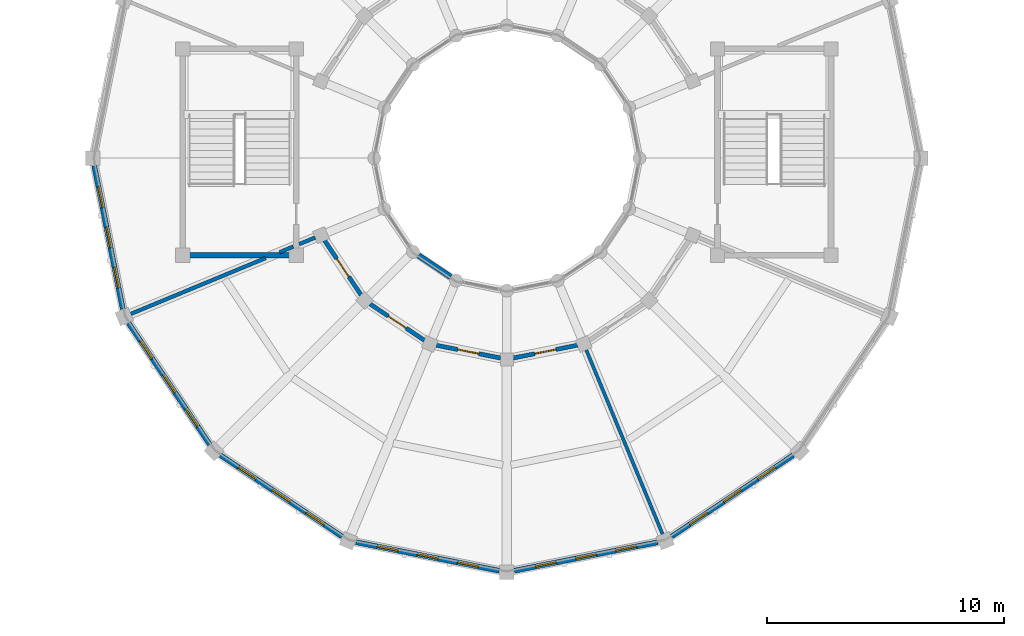
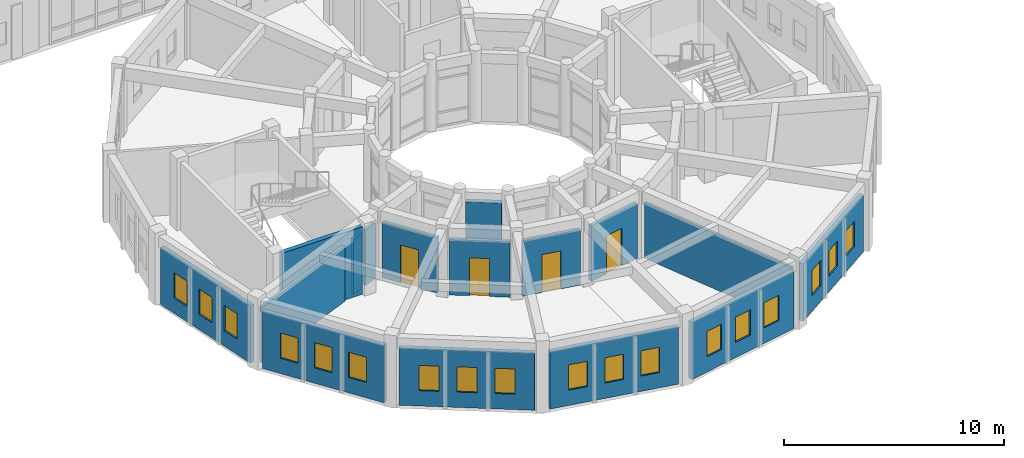
# One storey, part 116 of 159: 18 windows, 16 walls, 4 doors, 22 openings.
"""IFC4 building model written with IfcOpenShell, lengths in metres."""

from ifc_helpers import new_model, si_unit, direction, frame, frame_2d, origin, place, context, subcontext, project, spatial, rectangle, extrude, material, layer, layer_set, type_object, element, fill, save


model = new_model("IFC4")

# Units and contexts
model_context = context("Model", 3, precision=1e-05, world=origin(), true_north=direction((0.0, 1.0)))
body_context = subcontext(model_context, "Body", "Model", "MODEL_VIEW")
ifc_project = project(units=[si_unit("LENGTHUNIT", "METRE"), si_unit("AREAUNIT", "SQUARE_METRE"), si_unit("VOLUMEUNIT", "CUBIC_METRE"), si_unit("PLANEANGLEUNIT", "RADIAN"), si_unit("MASSUNIT", "GRAM", prefix="KILO")], contexts=[model_context])

# Site, building, storey
site_placement = place(None, origin())
site = spatial("IfcSite", under=ifc_project, at=site_placement, CompositionType="ELEMENT")
building_placement = place(site_placement, origin())
building = spatial("IfcBuilding", under=site, at=building_placement, Name="Celadon Cloister-Ring School", CompositionType="ELEMENT")
storey_placement = place(building_placement, frame((0.0, 0.0, 4.5)))
storey = spatial("IfcBuildingStorey", under=building, at=storey_placement, Name="L01", CompositionType="ELEMENT", Elevation=4.5)

# Wall
ifc_material_1 = material(Name="Rendered concrete blockwork", Category="masonry")
ifc_layer_1 = layer(ifc_material_1, 0.239990234375)
ifc_layer_set_1 = layer_set([ifc_layer_1], Name="Rendered concrete blockwork")
wall_type_1 = type_object("IfcWallType", Name="WT-EX3", PredefinedType="SOLIDWALL", material=ifc_layer_set_1)
wall_1_placement = place(storey_placement, frame((16.469970703125, 15.885986328125, 0.0), z_axis=(0.0, 0.0, 1.0), x_axis=(0.83165874011, -0.555287078904, 0.0)))
element("IfcWall", 1, at=wall_1_placement, inside=storey, type_object=wall_type_1, Name="Exterior Wall 0324", PredefinedType="SOLIDWALL", context=body_context, shape_type="SweptSolid", body=[
    extrude(rectangle(XDim=1.631591796875, YDim=0.239990234375, at=frame_2d((0.81591796875, 0.0))), origin(), (0.0, 0.0, 1.0), 3.221923828125),
])

# Wall, openings, windows
ifc_material_2 = material(Name="Perforated terracotta clay brick masonry", Category="masonry")
ifc_layer_2 = layer(ifc_material_2, 0.219970703125)
ifc_layer_set_2 = layer_set([ifc_layer_2], Name="Perforated terracotta clay brick masonry")
wall_type_2 = type_object("IfcWallType", Name="WT-EX4", PredefinedType="SOLIDWALL", material=ifc_layer_set_2)
wall_2_placement = place(storey_placement, frame((3.968017578125, 13.6259765625, 0.0), z_axis=(0.0, 0.0, 1.0), x_axis=(-0.195164813773, 0.980770460131, 0.0)))
wall_2 = element("IfcWall", 2, at=wall_2_placement, inside=storey, type_object=wall_type_2, Name="Exterior Wall 0321", PredefinedType="SOLIDWALL", context=body_context, shape_type="SweptSolid", body=[
    extrude(rectangle(XDim=6.169677734375, YDim=0.219970703125, at=frame_2d((3.0849609375, 0.0))), origin(), (0.0, 0.0, 1.0), 3.172119140625),
])
opening_1_placement = place(wall_2_placement, frame((0.906982421875, 0.0, 0.85009765625)))
opening_1 = element("IfcOpeningElement", 3, at=opening_1_placement, cuts=wall_2, Name="Opening WN-21", PredefinedType="OPENING", context=body_context, shape_type="SweptSolid", body=[
    extrude(rectangle(XDim=0.89990234375, YDim=1.39990234375, at=frame_2d((0.449951171875, 0.699951171875))), frame((0.0, 0.1201171875, 0.0), z_axis=(0.0, -1.0, 0.0), x_axis=(1.0, 0.0, 0.0)), (0.0, 0.0, 1.0), 0.239990234375),
])
opening_2_placement = place(wall_2_placement, frame((2.635009765625, 0.0, 0.85009765625)))
opening_2 = element("IfcOpeningElement", 4, at=opening_2_placement, cuts=wall_2, Name="Opening WN-21", PredefinedType="OPENING", context=body_context, shape_type="SweptSolid", body=[
    extrude(rectangle(XDim=0.89990234375, YDim=1.39990234375, at=frame_2d((0.449951171875, 0.699951171875))), frame((0.0, 0.1201171875, 0.0), z_axis=(0.0, -1.0, 0.0), x_axis=(1.0, 0.0, 0.0)), (0.0, 0.0, 1.0), 0.239990234375),
])
opening_3_placement = place(wall_2_placement, frame((4.362060546875, 0.0, 0.85009765625)))
opening_3 = element("IfcOpeningElement", 5, at=opening_3_placement, cuts=wall_2, Name="Opening WN-21", PredefinedType="OPENING", context=body_context, shape_type="SweptSolid", body=[
    extrude(rectangle(XDim=0.89990234375, YDim=1.39990234375, at=frame_2d((0.449951171875, 0.699951171875))), frame((0.0, 0.1201171875, 0.0), z_axis=(0.0, -1.0, 0.0), x_axis=(1.0, 0.0, 0.0)), (0.0, 0.0, 1.0), 0.239990234375),
])
ifc_material_3 = material(Name="Tempered laminated insulating glass", Category="glass")
window_type = type_object("IfcWindowType", Name="WN-21", PartitioningType="SINGLE_PANEL", PredefinedType="WINDOW", material=ifc_material_3)
window_1_placement = place(opening_1_placement, origin())
window_1 = element("IfcWindow", 6, at=window_1_placement, inside=storey, type_object=window_type, Name="Window 0827", OverallHeight=1.39990234375, OverallWidth=0.89990234375, PartitioningType="SINGLE_PANEL", PredefinedType="WINDOW", context=body_context, shape_type="SweptSolid", body=[
    extrude(rectangle(XDim=0.89990234375, YDim=1.39990234375, at=frame_2d((0.449951171875, 0.699951171875))), frame((0.0, 0.030029296875, 0.0), z_axis=(0.0, -1.0, 0.0), x_axis=(1.0, 0.0, 0.0)), (0.0, 0.0, 1.0), 0.06005859375),
])
fill(opening_1, window_1)
window_2_placement = place(opening_2_placement, origin())
window_2 = element("IfcWindow", 7, at=window_2_placement, inside=storey, type_object=window_type, Name="Window 0828", OverallHeight=1.39990234375, OverallWidth=0.89990234375, PartitioningType="SINGLE_PANEL", PredefinedType="WINDOW", context=body_context, shape_type="SweptSolid", body=[
    extrude(rectangle(XDim=0.89990234375, YDim=1.39990234375, at=frame_2d((0.449951171875, 0.699951171875))), frame((0.0, 0.030029296875, 0.0), z_axis=(0.0, -1.0, 0.0), x_axis=(1.0, 0.0, 0.0)), (0.0, 0.0, 1.0), 0.06005859375),
])
fill(opening_2, window_2)
window_3_placement = place(opening_3_placement, origin())
window_3 = element("IfcWindow", 8, at=window_3_placement, inside=storey, type_object=window_type, Name="Window 0829", OverallHeight=1.39990234375, OverallWidth=0.89990234375, PartitioningType="SINGLE_PANEL", PredefinedType="WINDOW", context=body_context, shape_type="SweptSolid", body=[
    extrude(rectangle(XDim=0.89990234375, YDim=1.39990234375, at=frame_2d((0.449951171875, 0.699951171875))), frame((0.0, 0.030029296875, 0.0), z_axis=(0.0, -1.0, 0.0), x_axis=(1.0, 0.0, 0.0)), (0.0, 0.0, 1.0), 0.06005859375),
])
fill(opening_3, window_3)

wall_3_placement = place(storey_placement, frame((7.64306640625, 7.89990234375, 0.0), z_axis=(0.0, 0.0, 1.0), x_axis=(-0.555658736667, 0.831410469242, 0.0)))
wall_3 = element("IfcWall", 9, at=wall_3_placement, inside=storey, type_object=wall_type_2, Name="Exterior Wall 0322", PredefinedType="SOLIDWALL", context=body_context, shape_type="SweptSolid", body=[
    extrude(rectangle(XDim=6.169189453125, YDim=0.219970703125, at=frame_2d((3.08447265625, 0.0))), origin(), (0.0, 0.0, 1.0), 3.172119140625),
])
opening_4_placement = place(wall_3_placement, frame((0.906982421875, 0.0, 0.85009765625)))
opening_4 = element("IfcOpeningElement", 10, at=opening_4_placement, cuts=wall_3, Name="Opening WN-21", PredefinedType="OPENING", context=body_context, shape_type="SweptSolid", body=[
    extrude(rectangle(XDim=0.89990234375, YDim=1.39990234375, at=frame_2d((0.449951171875, 0.699951171875))), frame((0.0, 0.1201171875, 0.0), z_axis=(0.0, -1.0, 0.0), x_axis=(1.0, 0.0, 0.0)), (0.0, 0.0, 1.0), 0.239990234375),
])
opening_5_placement = place(wall_3_placement, frame((2.635009765625, 0.0, 0.85009765625)))
opening_5 = element("IfcOpeningElement", 11, at=opening_5_placement, cuts=wall_3, Name="Opening WN-21", PredefinedType="OPENING", context=body_context, shape_type="SweptSolid", body=[
    extrude(rectangle(XDim=0.89990234375, YDim=1.39990234375, at=frame_2d((0.449951171875, 0.699951171875))), frame((0.0, 0.1201171875, 0.0), z_axis=(0.0, -1.0, 0.0), x_axis=(1.0, 0.0, 0.0)), (0.0, 0.0, 1.0), 0.239990234375),
])
opening_6_placement = place(wall_3_placement, frame((4.362060546875, 0.0, 0.85009765625)))
opening_6 = element("IfcOpeningElement", 12, at=opening_6_placement, cuts=wall_3, Name="Opening WN-21", PredefinedType="OPENING", context=body_context, shape_type="SweptSolid", body=[
    extrude(rectangle(XDim=0.89990234375, YDim=1.39990234375, at=frame_2d((0.449951171875, 0.699951171875))), frame((0.0, 0.1201171875, 0.0), z_axis=(0.0, -1.0, 0.0), x_axis=(1.0, 0.0, 0.0)), (0.0, 0.0, 1.0), 0.239990234375),
])
window_4_placement = place(opening_4_placement, origin())
window_4 = element("IfcWindow", 13, at=window_4_placement, inside=storey, type_object=window_type, Name="Window 0830", OverallHeight=1.39990234375, OverallWidth=0.89990234375, PartitioningType="SINGLE_PANEL", PredefinedType="WINDOW", context=body_context, shape_type="SweptSolid", body=[
    extrude(rectangle(XDim=0.89990234375, YDim=1.39990234375, at=frame_2d((0.449951171875, 0.699951171875))), frame((0.0, 0.030029296875, 0.0), z_axis=(0.0, -1.0, 0.0), x_axis=(1.0, 0.0, 0.0)), (0.0, 0.0, 1.0), 0.06005859375),
])
fill(opening_4, window_4)
window_5_placement = place(opening_5_placement, origin())
window_5 = element("IfcWindow", 14, at=window_5_placement, inside=storey, type_object=window_type, Name="Window 0831", OverallHeight=1.39990234375, OverallWidth=0.89990234375, PartitioningType="SINGLE_PANEL", PredefinedType="WINDOW", context=body_context, shape_type="SweptSolid", body=[
    extrude(rectangle(XDim=0.89990234375, YDim=1.39990234375, at=frame_2d((0.449951171875, 0.699951171875))), frame((0.0, 0.030029296875, 0.0), z_axis=(0.0, -1.0, 0.0), x_axis=(1.0, 0.0, 0.0)), (0.0, 0.0, 1.0), 0.06005859375),
])
fill(opening_5, window_5)
window_6_placement = place(opening_6_placement, origin())
window_6 = element("IfcWindow", 15, at=window_6_placement, inside=storey, type_object=window_type, Name="Window 0832", OverallHeight=1.39990234375, OverallWidth=0.89990234375, PartitioningType="SINGLE_PANEL", PredefinedType="WINDOW", context=body_context, shape_type="SweptSolid", body=[
    extrude(rectangle(XDim=0.89990234375, YDim=1.39990234375, at=frame_2d((0.449951171875, 0.699951171875))), frame((0.0, 0.030029296875, 0.0), z_axis=(0.0, -1.0, 0.0), x_axis=(1.0, 0.0, 0.0)), (0.0, 0.0, 1.0), 0.06005859375),
])
fill(opening_6, window_6)

wall_4_placement = place(storey_placement, frame((13.22900390625, 4.014892578125, 0.0), z_axis=(0.0, 0.0, 1.0), x_axis=(-0.831379966495, 0.555704374025, 0.0)))
wall_4 = element("IfcWall", 16, at=wall_4_placement, inside=storey, type_object=wall_type_2, Name="Exterior Wall 0323", PredefinedType="SOLIDWALL", context=body_context, shape_type="SweptSolid", body=[
    extrude(rectangle(XDim=6.169189453125, YDim=0.219970703125, at=frame_2d((3.08447265625, 0.0))), origin(), (0.0, 0.0, 1.0), 3.172119140625),
])
opening_7_placement = place(wall_4_placement, frame((0.906982421875, 0.0, 0.85009765625)))
opening_7 = element("IfcOpeningElement", 17, at=opening_7_placement, cuts=wall_4, Name="Opening WN-21", PredefinedType="OPENING", context=body_context, shape_type="SweptSolid", body=[
    extrude(rectangle(XDim=0.89990234375, YDim=1.39990234375, at=frame_2d((0.449951171875, 0.699951171875))), frame((0.0, 0.1201171875, 0.0), z_axis=(0.0, -1.0, 0.0), x_axis=(1.0, 0.0, 0.0)), (0.0, 0.0, 1.0), 0.239990234375),
])
opening_8_placement = place(wall_4_placement, frame((2.635009765625, 0.0, 0.85009765625)))
opening_8 = element("IfcOpeningElement", 18, at=opening_8_placement, cuts=wall_4, Name="Opening WN-21", PredefinedType="OPENING", context=body_context, shape_type="SweptSolid", body=[
    extrude(rectangle(XDim=0.89990234375, YDim=1.39990234375, at=frame_2d((0.449951171875, 0.699951171875))), frame((0.0, 0.1201171875, 0.0), z_axis=(0.0, -1.0, 0.0), x_axis=(1.0, 0.0, 0.0)), (0.0, 0.0, 1.0), 0.239990234375),
])
opening_9_placement = place(wall_4_placement, frame((4.362060546875, 0.0, 0.85009765625)))
opening_9 = element("IfcOpeningElement", 19, at=opening_9_placement, cuts=wall_4, Name="Opening WN-21", PredefinedType="OPENING", context=body_context, shape_type="SweptSolid", body=[
    extrude(rectangle(XDim=0.89990234375, YDim=1.39990234375, at=frame_2d((0.449951171875, 0.699951171875))), frame((0.0, 0.1201171875, 0.0), z_axis=(0.0, -1.0, 0.0), x_axis=(1.0, 0.0, 0.0)), (0.0, 0.0, 1.0), 0.239990234375),
])
window_7_placement = place(opening_7_placement, origin())
window_7 = element("IfcWindow", 20, at=window_7_placement, inside=storey, type_object=window_type, Name="Window 0833", OverallHeight=1.39990234375, OverallWidth=0.89990234375, PartitioningType="SINGLE_PANEL", PredefinedType="WINDOW", context=body_context, shape_type="SweptSolid", body=[
    extrude(rectangle(XDim=0.89990234375, YDim=1.39990234375, at=frame_2d((0.449951171875, 0.699951171875))), frame((0.0, 0.030029296875, 0.0), z_axis=(0.0, -1.0, 0.0), x_axis=(1.0, 0.0, 0.0)), (0.0, 0.0, 1.0), 0.06005859375),
])
fill(opening_7, window_7)
window_8_placement = place(opening_8_placement, origin())
window_8 = element("IfcWindow", 21, at=window_8_placement, inside=storey, type_object=window_type, Name="Window 0834", OverallHeight=1.39990234375, OverallWidth=0.89990234375, PartitioningType="SINGLE_PANEL", PredefinedType="WINDOW", context=body_context, shape_type="SweptSolid", body=[
    extrude(rectangle(XDim=0.89990234375, YDim=1.39990234375, at=frame_2d((0.449951171875, 0.699951171875))), frame((0.0, 0.030029296875, 0.0), z_axis=(0.0, -1.0, 0.0), x_axis=(1.0, 0.0, 0.0)), (0.0, 0.0, 1.0), 0.06005859375),
])
fill(opening_8, window_8)
window_9_placement = place(opening_9_placement, origin())
window_9 = element("IfcWindow", 22, at=window_9_placement, inside=storey, type_object=window_type, Name="Window 0835", OverallHeight=1.39990234375, OverallWidth=0.89990234375, PartitioningType="SINGLE_PANEL", PredefinedType="WINDOW", context=body_context, shape_type="SweptSolid", body=[
    extrude(rectangle(XDim=0.89990234375, YDim=1.39990234375, at=frame_2d((0.449951171875, 0.699951171875))), frame((0.0, 0.030029296875, 0.0), z_axis=(0.0, -1.0, 0.0), x_axis=(1.0, 0.0, 0.0)), (0.0, 0.0, 1.0), 0.06005859375),
])
fill(opening_9, window_9)

wall_5_placement = place(storey_placement, frame((19.876953125, 2.56396484375, 0.0), z_axis=(0.0, 0.0, 1.0), x_axis=(-0.980770460131, 0.195164813773, 0.0)))
wall_5 = element("IfcWall", 23, at=wall_5_placement, inside=storey, type_object=wall_type_2, Name="Exterior Wall 0325", PredefinedType="SOLIDWALL", context=body_context, shape_type="SweptSolid", body=[
    extrude(rectangle(XDim=6.169677734375, YDim=0.219970703125, at=frame_2d((3.0849609375, 0.0))), origin(), (0.0, 0.0, 1.0), 3.172119140625),
])
opening_10_placement = place(wall_5_placement, frame((0.906982421875, 0.0, 0.85009765625)))
opening_10 = element("IfcOpeningElement", 24, at=opening_10_placement, cuts=wall_5, Name="Opening WN-21", PredefinedType="OPENING", context=body_context, shape_type="SweptSolid", body=[
    extrude(rectangle(XDim=0.89990234375, YDim=1.39990234375, at=frame_2d((0.449951171875, 0.699951171875))), frame((0.0, 0.1201171875, 0.0), z_axis=(0.0, -1.0, 0.0), x_axis=(1.0, 0.0, 0.0)), (0.0, 0.0, 1.0), 0.239990234375),
])
opening_11_placement = place(wall_5_placement, frame((2.635009765625, 0.0, 0.85009765625)))
opening_11 = element("IfcOpeningElement", 25, at=opening_11_placement, cuts=wall_5, Name="Opening WN-21", PredefinedType="OPENING", context=body_context, shape_type="SweptSolid", body=[
    extrude(rectangle(XDim=0.89990234375, YDim=1.39990234375, at=frame_2d((0.449951171875, 0.699951171875))), frame((0.0, 0.1201171875, 0.0), z_axis=(0.0, -1.0, 0.0), x_axis=(1.0, 0.0, 0.0)), (0.0, 0.0, 1.0), 0.239990234375),
])
opening_12_placement = place(wall_5_placement, frame((4.362060546875, 0.0, 0.85009765625)))
opening_12 = element("IfcOpeningElement", 26, at=opening_12_placement, cuts=wall_5, Name="Opening WN-21", PredefinedType="OPENING", context=body_context, shape_type="SweptSolid", body=[
    extrude(rectangle(XDim=0.89990234375, YDim=1.39990234375, at=frame_2d((0.449951171875, 0.699951171875))), frame((0.0, 0.1201171875, 0.0), z_axis=(0.0, -1.0, 0.0), x_axis=(1.0, 0.0, 0.0)), (0.0, 0.0, 1.0), 0.239990234375),
])
window_10_placement = place(opening_10_placement, origin())
window_10 = element("IfcWindow", 27, at=window_10_placement, inside=storey, type_object=window_type, Name="Window 0836", OverallHeight=1.39990234375, OverallWidth=0.89990234375, PartitioningType="SINGLE_PANEL", PredefinedType="WINDOW", context=body_context, shape_type="SweptSolid", body=[
    extrude(rectangle(XDim=0.89990234375, YDim=1.39990234375, at=frame_2d((0.449951171875, 0.699951171875))), frame((0.0, 0.030029296875, 0.0), z_axis=(0.0, -1.0, 0.0), x_axis=(1.0, 0.0, 0.0)), (0.0, 0.0, 1.0), 0.06005859375),
])
fill(opening_10, window_10)
window_11_placement = place(opening_11_placement, origin())
window_11 = element("IfcWindow", 28, at=window_11_placement, inside=storey, type_object=window_type, Name="Window 0837", OverallHeight=1.39990234375, OverallWidth=0.89990234375, PartitioningType="SINGLE_PANEL", PredefinedType="WINDOW", context=body_context, shape_type="SweptSolid", body=[
    extrude(rectangle(XDim=0.89990234375, YDim=1.39990234375, at=frame_2d((0.449951171875, 0.699951171875))), frame((0.0, 0.030029296875, 0.0), z_axis=(0.0, -1.0, 0.0), x_axis=(1.0, 0.0, 0.0)), (0.0, 0.0, 1.0), 0.06005859375),
])
fill(opening_11, window_11)
window_12_placement = place(opening_12_placement, origin())
window_12 = element("IfcWindow", 29, at=window_12_placement, inside=storey, type_object=window_type, Name="Window 0838", OverallHeight=1.39990234375, OverallWidth=0.89990234375, PartitioningType="SINGLE_PANEL", PredefinedType="WINDOW", context=body_context, shape_type="SweptSolid", body=[
    extrude(rectangle(XDim=0.89990234375, YDim=1.39990234375, at=frame_2d((0.449951171875, 0.699951171875))), frame((0.0, 0.030029296875, 0.0), z_axis=(0.0, -1.0, 0.0), x_axis=(1.0, 0.0, 0.0)), (0.0, 0.0, 1.0), 0.06005859375),
])
fill(opening_12, window_12)

wall_6_placement = place(storey_placement, frame((26.573974609375, 3.76806640625, 0.0), z_axis=(0.0, 0.0, 1.0), x_axis=(-0.980770460131, -0.195164813773, 0.0)))
wall_6 = element("IfcWall", 30, at=wall_6_placement, inside=storey, type_object=wall_type_2, Name="Exterior Wall 0326", PredefinedType="SOLIDWALL", context=body_context, shape_type="SweptSolid", body=[
    extrude(rectangle(XDim=6.169677734375, YDim=0.219970703125, at=frame_2d((3.0849609375, 0.0))), origin(), (0.0, 0.0, 1.0), 3.172119140625),
])
opening_13_placement = place(wall_6_placement, frame((0.906982421875, 0.0, 0.85009765625)))
opening_13 = element("IfcOpeningElement", 31, at=opening_13_placement, cuts=wall_6, Name="Opening WN-21", PredefinedType="OPENING", context=body_context, shape_type="SweptSolid", body=[
    extrude(rectangle(XDim=0.89990234375, YDim=1.39990234375, at=frame_2d((0.449951171875, 0.699951171875))), frame((0.0, 0.1201171875, 0.0), z_axis=(0.0, -1.0, 0.0), x_axis=(1.0, 0.0, 0.0)), (0.0, 0.0, 1.0), 0.239990234375),
])
opening_14_placement = place(wall_6_placement, frame((2.635009765625, 0.0, 0.85009765625)))
opening_14 = element("IfcOpeningElement", 32, at=opening_14_placement, cuts=wall_6, Name="Opening WN-21", PredefinedType="OPENING", context=body_context, shape_type="SweptSolid", body=[
    extrude(rectangle(XDim=0.89990234375, YDim=1.39990234375, at=frame_2d((0.449951171875, 0.699951171875))), frame((0.0, 0.1201171875, 0.0), z_axis=(0.0, -1.0, 0.0), x_axis=(1.0, 0.0, 0.0)), (0.0, 0.0, 1.0), 0.239990234375),
])
opening_15_placement = place(wall_6_placement, frame((4.362060546875, 0.0, 0.85009765625)))
opening_15 = element("IfcOpeningElement", 33, at=opening_15_placement, cuts=wall_6, Name="Opening WN-21", PredefinedType="OPENING", context=body_context, shape_type="SweptSolid", body=[
    extrude(rectangle(XDim=0.89990234375, YDim=1.39990234375, at=frame_2d((0.449951171875, 0.699951171875))), frame((0.0, 0.1201171875, 0.0), z_axis=(0.0, -1.0, 0.0), x_axis=(1.0, 0.0, 0.0)), (0.0, 0.0, 1.0), 0.239990234375),
])
window_13_placement = place(opening_13_placement, origin())
window_13 = element("IfcWindow", 34, at=window_13_placement, inside=storey, type_object=window_type, Name="Window 0839", OverallHeight=1.39990234375, OverallWidth=0.89990234375, PartitioningType="SINGLE_PANEL", PredefinedType="WINDOW", context=body_context, shape_type="SweptSolid", body=[
    extrude(rectangle(XDim=0.89990234375, YDim=1.39990234375, at=frame_2d((0.449951171875, 0.699951171875))), frame((0.0, 0.030029296875, 0.0), z_axis=(0.0, -1.0, 0.0), x_axis=(1.0, 0.0, 0.0)), (0.0, 0.0, 1.0), 0.06005859375),
])
fill(opening_13, window_13)
window_14_placement = place(opening_14_placement, origin())
window_14 = element("IfcWindow", 35, at=window_14_placement, inside=storey, type_object=window_type, Name="Window 0840", OverallHeight=1.39990234375, OverallWidth=0.89990234375, PartitioningType="SINGLE_PANEL", PredefinedType="WINDOW", context=body_context, shape_type="SweptSolid", body=[
    extrude(rectangle(XDim=0.89990234375, YDim=1.39990234375, at=frame_2d((0.449951171875, 0.699951171875))), frame((0.0, 0.030029296875, 0.0), z_axis=(0.0, -1.0, 0.0), x_axis=(1.0, 0.0, 0.0)), (0.0, 0.0, 1.0), 0.06005859375),
])
fill(opening_14, window_14)
window_15_placement = place(opening_15_placement, origin())
window_15 = element("IfcWindow", 36, at=window_15_placement, inside=storey, type_object=window_type, Name="Window 0841", OverallHeight=1.39990234375, OverallWidth=0.89990234375, PartitioningType="SINGLE_PANEL", PredefinedType="WINDOW", context=body_context, shape_type="SweptSolid", body=[
    extrude(rectangle(XDim=0.89990234375, YDim=1.39990234375, at=frame_2d((0.449951171875, 0.699951171875))), frame((0.0, 0.030029296875, 0.0), z_axis=(0.0, -1.0, 0.0), x_axis=(1.0, 0.0, 0.0)), (0.0, 0.0, 1.0), 0.06005859375),
])
fill(opening_15, window_15)

wall_7_placement = place(storey_placement, frame((32.300048828125, 7.443115234375, 0.0), z_axis=(0.0, 0.0, 1.0), x_axis=(-0.831392186772, -0.55568609104, 0.0)))
wall_7 = element("IfcWall", 37, at=wall_7_placement, inside=storey, type_object=wall_type_2, Name="Exterior Wall 0327", PredefinedType="SOLIDWALL", context=body_context, shape_type="SweptSolid", body=[
    extrude(rectangle(XDim=6.16943359375, YDim=0.219970703125, at=frame_2d((3.084716796875, 0.0))), origin(), (0.0, 0.0, 1.0), 3.172119140625),
])
opening_16_placement = place(wall_7_placement, frame((0.906982421875, 0.0, 0.85009765625)))
opening_16 = element("IfcOpeningElement", 38, at=opening_16_placement, cuts=wall_7, Name="Opening WN-21", PredefinedType="OPENING", context=body_context, shape_type="SweptSolid", body=[
    extrude(rectangle(XDim=0.89990234375, YDim=1.39990234375, at=frame_2d((0.449951171875, 0.699951171875))), frame((0.0, 0.1201171875, 0.0), z_axis=(0.0, -1.0, 0.0), x_axis=(1.0, 0.0, 0.0)), (0.0, 0.0, 1.0), 0.239990234375),
])
opening_17_placement = place(wall_7_placement, frame((2.635009765625, 0.0, 0.85009765625)))
opening_17 = element("IfcOpeningElement", 39, at=opening_17_placement, cuts=wall_7, Name="Opening WN-21", PredefinedType="OPENING", context=body_context, shape_type="SweptSolid", body=[
    extrude(rectangle(XDim=0.89990234375, YDim=1.39990234375, at=frame_2d((0.449951171875, 0.699951171875))), frame((0.0, 0.1201171875, 0.0), z_axis=(0.0, -1.0, 0.0), x_axis=(1.0, 0.0, 0.0)), (0.0, 0.0, 1.0), 0.239990234375),
])
opening_18_placement = place(wall_7_placement, frame((4.362060546875, 0.0, 0.85009765625)))
opening_18 = element("IfcOpeningElement", 40, at=opening_18_placement, cuts=wall_7, Name="Opening WN-21", PredefinedType="OPENING", context=body_context, shape_type="SweptSolid", body=[
    extrude(rectangle(XDim=0.89990234375, YDim=1.39990234375, at=frame_2d((0.449951171875, 0.699951171875))), frame((0.0, 0.1201171875, 0.0), z_axis=(0.0, -1.0, 0.0), x_axis=(1.0, 0.0, 0.0)), (0.0, 0.0, 1.0), 0.239990234375),
])
window_16_placement = place(opening_16_placement, origin())
window_16 = element("IfcWindow", 41, at=window_16_placement, inside=storey, type_object=window_type, Name="Window 0842", OverallHeight=1.39990234375, OverallWidth=0.89990234375, PartitioningType="SINGLE_PANEL", PredefinedType="WINDOW", context=body_context, shape_type="SweptSolid", body=[
    extrude(rectangle(XDim=0.89990234375, YDim=1.39990234375, at=frame_2d((0.449951171875, 0.699951171875))), frame((0.0, 0.030029296875, 0.0), z_axis=(0.0, -1.0, 0.0), x_axis=(1.0, 0.0, 0.0)), (0.0, 0.0, 1.0), 0.06005859375),
])
fill(opening_16, window_16)
window_17_placement = place(opening_17_placement, origin())
window_17 = element("IfcWindow", 42, at=window_17_placement, inside=storey, type_object=window_type, Name="Window 0843", OverallHeight=1.39990234375, OverallWidth=0.89990234375, PartitioningType="SINGLE_PANEL", PredefinedType="WINDOW", context=body_context, shape_type="SweptSolid", body=[
    extrude(rectangle(XDim=0.89990234375, YDim=1.39990234375, at=frame_2d((0.449951171875, 0.699951171875))), frame((0.0, 0.030029296875, 0.0), z_axis=(0.0, -1.0, 0.0), x_axis=(1.0, 0.0, 0.0)), (0.0, 0.0, 1.0), 0.06005859375),
])
fill(opening_17, window_17)
window_18_placement = place(opening_18_placement, origin())
window_18 = element("IfcWindow", 43, at=window_18_placement, inside=storey, type_object=window_type, Name="Window 0844", OverallHeight=1.39990234375, OverallWidth=0.89990234375, PartitioningType="SINGLE_PANEL", PredefinedType="WINDOW", context=body_context, shape_type="SweptSolid", body=[
    extrude(rectangle(XDim=0.89990234375, YDim=1.39990234375, at=frame_2d((0.449951171875, 0.699951171875))), frame((0.0, 0.030029296875, 0.0), z_axis=(0.0, -1.0, 0.0), x_axis=(1.0, 0.0, 0.0)), (0.0, 0.0, 1.0), 0.06005859375),
])
fill(opening_18, window_18)

# Wall, opening, door
ifc_material_4 = material(Name="Plastered hollow concrete masonry", Category="masonry")
ifc_layer_3 = layer(ifc_material_4, 0.179931640625)
ifc_layer_set_3 = layer_set([ifc_layer_3], Name="Plastered hollow concrete masonry")
wall_type_3 = type_object("IfcWallType", Name="WT-PT2", PredefinedType="PARTITIONING", material=ifc_layer_set_3)
wall_8_placement = place(storey_placement, frame((12.498046875, 16.52099609375, 0.0), z_axis=(0.0, 0.0, 1.0), x_axis=(0.555797002478, -0.831318045056, 0.0)))
wall_8 = element("IfcWall", 44, at=wall_8_placement, inside=storey, type_object=wall_type_3, Name="Interior Wall 0810", PredefinedType="PARTITIONING", context=body_context, shape_type="SweptSolid", body=[
    extrude(rectangle(XDim=2.772705078125, YDim=0.179931640625, at=frame_2d((1.38623046875, 0.0))), origin(), (0.0, 0.0, 1.0), 3.072021484375),
])
opening_19_placement = place(wall_8_placement, frame((0.926025390625, 0.0, 0.0)))
opening_19 = element("IfcOpeningElement", 45, at=opening_19_placement, cuts=wall_8, Name="Opening D-0294", PredefinedType="OPENING", context=body_context, shape_type="SweptSolid", body=[
    extrude(rectangle(XDim=0.919921875, YDim=2.10009765625, at=frame_2d((0.4599609375, 1.050048828125))), frame((0.0, 0.10009765625, 0.0), z_axis=(0.0, -1.0, 0.0), x_axis=(1.0, 0.0, 0.0)), (0.0, 0.0, 1.0), 0.199951171875),
])
ifc_material_5 = material(Name="Solid-core fire-rated hardwood leaf", Category="wood")
door_type = type_object("IfcDoorType", Name="DT-02", OperationType="NOTDEFINED", PredefinedType="DOOR", material=ifc_material_5)
door_1_placement = place(opening_19_placement, origin())
door_1 = element("IfcDoor", 46, at=door_1_placement, inside=storey, type_object=door_type, Name="Door D-0294", OperationType="SINGLE_SWING_RIGHT", OverallHeight=2.10009765625, OverallWidth=0.919921875, PredefinedType="DOOR", context=body_context, shape_type="SweptSolid", body=[
    extrude(rectangle(XDim=0.919921875, YDim=2.10009765625, at=frame_2d((0.4599609375, 1.050048828125))), frame((0.0, 0.02490234375, 0.0), z_axis=(0.0, -1.0, 0.0), x_axis=(1.0, 0.0, 0.0)), (0.0, 0.0, 1.0), 0.050048828125),
])
fill(opening_19, door_1)

wall_9_placement = place(storey_placement, frame((14.416015625, 13.839111328125, 0.0), z_axis=(0.0, 0.0, 1.0), x_axis=(0.831318045056, -0.555797002478, 0.0)))
wall_9 = element("IfcWall", 47, at=wall_9_placement, inside=storey, type_object=wall_type_3, Name="Interior Wall 0811", PredefinedType="PARTITIONING", context=body_context, shape_type="SweptSolid", body=[
    extrude(rectangle(XDim=2.772705078125, YDim=0.179931640625, at=frame_2d((1.38623046875, 0.0))), origin(), (0.0, 0.0, 1.0), 3.072021484375),
])
opening_20_placement = place(wall_9_placement, frame((0.926025390625, 0.0, 0.0)))
opening_20 = element("IfcOpeningElement", 48, at=opening_20_placement, cuts=wall_9, Name="Opening D-0295", PredefinedType="OPENING", context=body_context, shape_type="SweptSolid", body=[
    extrude(rectangle(XDim=0.919921875, YDim=2.10009765625, at=frame_2d((0.4599609375, 1.050048828125))), frame((0.0, 0.10009765625, 0.0), z_axis=(0.0, -1.0, 0.0), x_axis=(1.0, 0.0, 0.0)), (0.0, 0.0, 1.0), 0.199951171875),
])
door_2_placement = place(opening_20_placement, origin())
door_2 = element("IfcDoor", 49, at=door_2_placement, inside=storey, type_object=door_type, Name="Door D-0295", OperationType="SINGLE_SWING_LEFT", OverallHeight=2.10009765625, OverallWidth=0.919921875, PredefinedType="DOOR", context=body_context, shape_type="SweptSolid", body=[
    extrude(rectangle(XDim=0.919921875, YDim=2.10009765625, at=frame_2d((0.4599609375, 1.050048828125))), frame((0.0, 0.02490234375, 0.0), z_axis=(0.0, -1.0, 0.0), x_axis=(1.0, 0.0, 0.0)), (0.0, 0.0, 1.0), 0.050048828125),
])
fill(opening_20, door_2)

wall_10_placement = place(storey_placement, frame((17.214111328125, 12.093994140625, 0.0), z_axis=(0.0, 0.0, 1.0), x_axis=(0.980773264811, -0.195150718759, 0.0)))
wall_10 = element("IfcWall", 50, at=wall_10_placement, inside=storey, type_object=wall_type_3, Name="Interior Wall 0812", PredefinedType="PARTITIONING", context=body_context, shape_type="SweptSolid", body=[
    extrude(rectangle(XDim=2.772216796875, YDim=0.179931640625, at=frame_2d((1.38623046875, 0.0))), origin(), (0.0, 0.0, 1.0), 3.072021484375),
])
opening_21_placement = place(wall_10_placement, frame((0.926025390625, 0.0, 0.0)))
opening_21 = element("IfcOpeningElement", 51, at=opening_21_placement, cuts=wall_10, Name="Opening D-0296", PredefinedType="OPENING", context=body_context, shape_type="SweptSolid", body=[
    extrude(rectangle(XDim=0.919921875, YDim=2.10009765625, at=frame_2d((0.4599609375, 1.050048828125))), frame((0.0, 0.10009765625, 0.0), z_axis=(0.0, -1.0, 0.0), x_axis=(1.0, 0.0, 0.0)), (0.0, 0.0, 1.0), 0.199951171875),
])
door_3_placement = place(opening_21_placement, origin())
door_3 = element("IfcDoor", 52, at=door_3_placement, inside=storey, type_object=door_type, Name="Door D-0296", OperationType="SINGLE_SWING_RIGHT", OverallHeight=2.10009765625, OverallWidth=0.919921875, PredefinedType="DOOR", context=body_context, shape_type="SweptSolid", body=[
    extrude(rectangle(XDim=0.919921875, YDim=2.10009765625, at=frame_2d((0.4599609375, 1.050048828125))), frame((0.0, 0.02490234375, 0.0), z_axis=(0.0, -1.0, 0.0), x_axis=(1.0, 0.0, 0.0)), (0.0, 0.0, 1.0), 0.050048828125),
])
fill(opening_21, door_3)

wall_11_placement = place(storey_placement, frame((20.467041015625, 11.552978515625, 0.0), z_axis=(0.0, 0.0, 1.0), x_axis=(0.980773264811, 0.195150718759, 0.0)))
wall_11 = element("IfcWall", 53, at=wall_11_placement, inside=storey, type_object=wall_type_3, Name="Interior Wall 0813", PredefinedType="PARTITIONING", context=body_context, shape_type="SweptSolid", body=[
    extrude(rectangle(XDim=2.772216796875, YDim=0.179931640625, at=frame_2d((1.38623046875, 0.0))), origin(), (0.0, 0.0, 1.0), 3.072021484375),
])
opening_22_placement = place(wall_11_placement, frame((0.926025390625, 0.0, 0.0)))
opening_22 = element("IfcOpeningElement", 54, at=opening_22_placement, cuts=wall_11, Name="Opening D-0297", PredefinedType="OPENING", context=body_context, shape_type="SweptSolid", body=[
    extrude(rectangle(XDim=0.919921875, YDim=2.10009765625, at=frame_2d((0.4599609375, 1.050048828125))), frame((0.0, 0.10009765625, 0.0), z_axis=(0.0, -1.0, 0.0), x_axis=(1.0, 0.0, 0.0)), (0.0, 0.0, 1.0), 0.199951171875),
])
door_4_placement = place(opening_22_placement, origin())
door_4 = element("IfcDoor", 55, at=door_4_placement, inside=storey, type_object=door_type, Name="Door D-0297", OperationType="SINGLE_SWING_LEFT", OverallHeight=2.10009765625, OverallWidth=0.919921875, PredefinedType="DOOR", context=body_context, shape_type="SweptSolid", body=[
    extrude(rectangle(XDim=0.919921875, YDim=2.10009765625, at=frame_2d((0.4599609375, 1.050048828125))), frame((0.0, 0.02490234375, 0.0), z_axis=(0.0, -1.0, 0.0), x_axis=(1.0, 0.0, 0.0)), (0.0, 0.0, 1.0), 0.050048828125),
])
fill(opening_22, door_4)

# Walls
ifc_material_6 = material(Name="Plastered hollow concrete masonry", Category="masonry")
ifc_layer_4 = layer(ifc_material_6, 0.159912109375)
ifc_layer_set_4 = layer_set([ifc_layer_4], Name="Plastered hollow concrete masonry")
wall_type_4 = type_object("IfcWallType", Name="WT-PT3", PredefinedType="PARTITIONING", material=ifc_layer_set_4)
wall_12_placement = place(storey_placement, frame((12.10009765625, 16.64501953125, 0.0), z_axis=(0.0, 0.0, 1.0), x_axis=(-0.924069600435, -0.382224245113, 0.0)))
element("IfcWall", 56, at=wall_12_placement, inside=storey, type_object=wall_type_4, Name="Interior Wall 0799", PredefinedType="PARTITIONING", context=body_context, shape_type="SweptSolid", body=[
    extrude(rectangle(XDim=0.732666015625, YDim=0.159912109375, at=frame_2d((0.3662109375, 0.0))), origin(), (0.0, 0.0, 1.0), 3.072021484375),
])
wall_13_placement = place(storey_placement, frame((11.177001953125, 16.262939453125, 0.0), z_axis=(0.0, 0.0, 1.0), x_axis=(-0.923812676193, -0.382844797933, 0.0)))
element("IfcWall", 57, at=wall_13_placement, inside=storey, type_object=wall_type_4, Name="Interior Wall 0800", PredefinedType="PARTITIONING", context=body_context, shape_type="SweptSolid", body=[
    extrude(rectangle(XDim=0.626953125, YDim=0.159912109375, at=frame_2d((0.3134765625, 0.0))), origin(), (0.0, 0.0, 1.0), 3.072021484375),
])
wall_14_placement = place(storey_placement, frame((10.00390625, 15.777099609375, 0.0), z_axis=(0.0, 0.0, 1.0), x_axis=(-0.923864955254, -0.382718623082, 0.0)))
element("IfcWall", 58, at=wall_14_placement, inside=storey, type_object=wall_type_4, Name="Interior Wall 0801", PredefinedType="PARTITIONING", context=body_context, shape_type="SweptSolid", body=[
    extrude(rectangle(XDim=6.171875, YDim=0.159912109375, at=frame_2d((3.0859375, 0.0))), origin(), (0.0, 0.0, 1.0), 3.072021484375),
])
ifc_material_7 = material(Name="Acoustic mineral-wool drywall partition")
ifc_layer_5 = layer(ifc_material_7, 0.139892578125)
ifc_layer_set_5 = layer_set([ifc_layer_5], Name="Acoustic mineral-wool drywall partition")
wall_type_5 = type_object("IfcWallType", Name="WT-PT4", PredefinedType="PARTITIONING", material=ifc_layer_set_5)
wall_15_placement = place(storey_placement, frame((23.554931640625, 11.89990234375, 0.0), z_axis=(0.0, 0.0, 1.0), x_axis=(0.382683896966, -0.923879340067, 0.0)))
element("IfcWall", 59, at=wall_15_placement, inside=storey, type_object=wall_type_5, Name="Interior Wall 0802", PredefinedType="PARTITIONING", context=body_context, shape_type="SweptSolid", body=[
    extrude(rectangle(XDim=8.4404296875, YDim=0.139892578125, at=frame_2d((4.22021484375, 0.0))), origin(), (0.0, 0.0, 1.0), 3.072021484375),
])
ifc_material_8 = material(Name="Concrete C40/50", Category="concrete")
ifc_layer_6 = layer(ifc_material_8, 0.239990234375)
ifc_layer_set_6 = layer_set([ifc_layer_6], Name="Concrete C40/50")
wall_type_6 = type_object("IfcWallType", Name="WT-SH1", PredefinedType="SHEAR", material=ifc_layer_set_6)
wall_16_placement = place(storey_placement, frame((11.008056640625, 15.89990234375, 0.0), z_axis=(0.0, 0.0, 1.0), x_axis=(-1.0, 0.0, 0.0)))
element("IfcWall", 60, at=wall_16_placement, inside=storey, type_object=wall_type_6, Name="Interior Wall 0055", PredefinedType="SHEAR", context=body_context, shape_type="SweptSolid", body=[
    extrude(rectangle(XDim=4.216064453125, YDim=0.239990234375, at=frame_2d((2.10791015625, 0.0))), origin(), (0.0, 0.0, 1.0), 3.739990234375),
])

save(model, "model.ifc")
